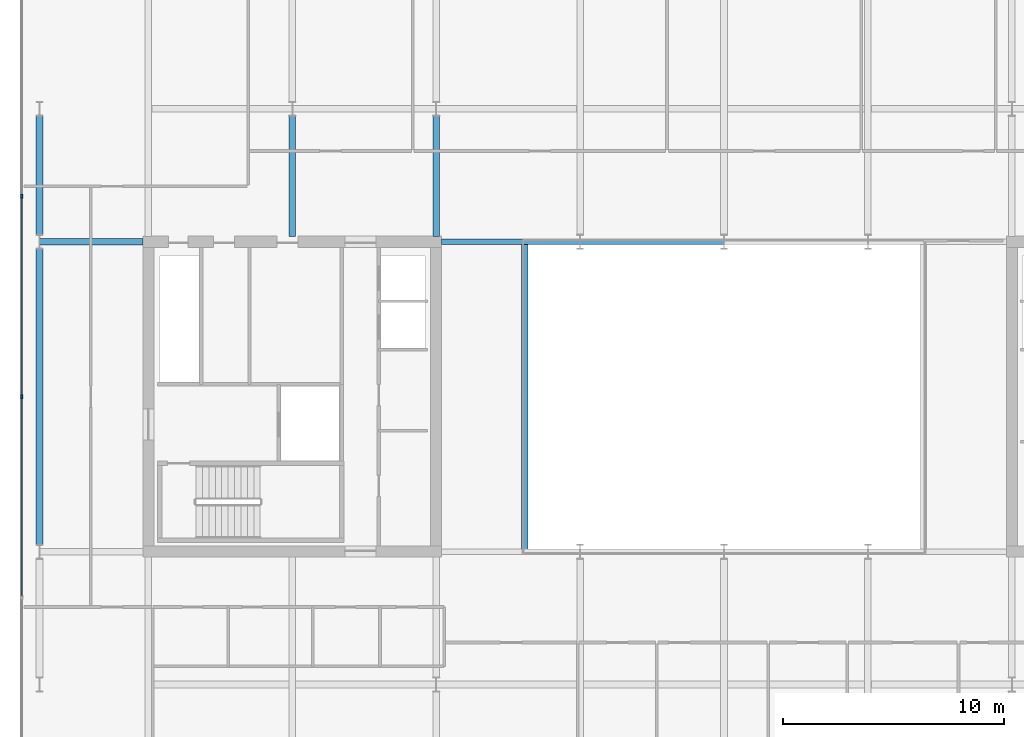
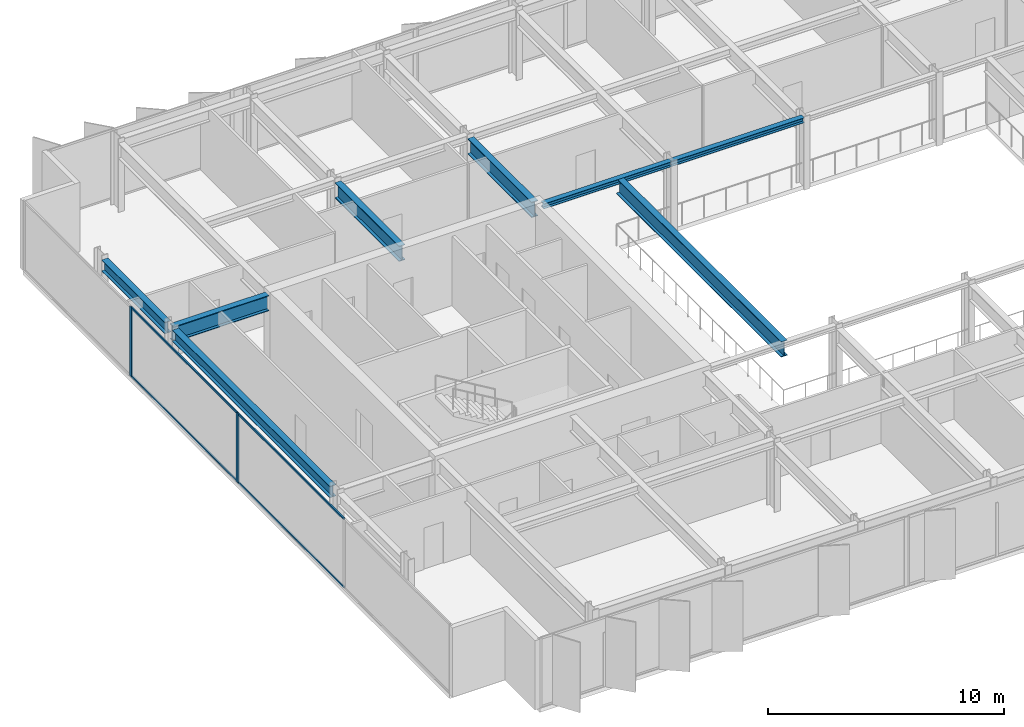
# One storey, part 5 of 19: 8 beams, 6 members, 1 element without a shape of its own.
"""IFC4 building model written with IfcOpenShell, lengths in metres."""

from ifc_helpers import new_model, si_unit, direction, frame, origin, origin_2d, place, context, subcontext, project, spatial, rectangle, i_section, extrude, material, layer, layer_set, material_profile, profile_set, type_object, element, aggregate, save


model = new_model("IFC4")

# Units and contexts
model_context = context("Model", 3, precision=1e-05, world=origin(), true_north=direction((0.0, 1.0)))
body_context = subcontext(model_context, "Body", "Model", "MODEL_VIEW")
ifc_project = project(units=[si_unit("LENGTHUNIT", "METRE"), si_unit("AREAUNIT", "SQUARE_METRE"), si_unit("VOLUMEUNIT", "CUBIC_METRE"), si_unit("PLANEANGLEUNIT", "RADIAN"), si_unit("MASSUNIT", "GRAM", prefix="KILO")], contexts=[model_context])

# Site, building, storey
site_placement = place(None, origin())
site = spatial("IfcSite", under=ifc_project, at=site_placement, CompositionType="ELEMENT")
building_placement = place(site_placement, origin())
building = spatial("IfcBuilding", under=site, at=building_placement, Name="Putna Gate Headquarters", CompositionType="ELEMENT")
storey_placement = place(building_placement, frame((0.0, 0.0, 267.0)))
storey = spatial("IfcBuildingStorey", under=building, at=storey_placement, Name="L67", CompositionType="ELEMENT", Elevation=267.0)

# Beams
ifc_material_1 = material(Name="Steel S355J2", Category="steel")
ifc_material_profile_1 = material_profile(ifc_material_1, i_section(OverallWidth=0.260009765625, OverallDepth=0.260009765625, WebThickness=0.010009765625, FlangeThickness=0.017578125, at=origin_2d()), Name="Steel S355J2")
ifc_profile_set_1 = profile_set([ifc_material_profile_1], Name="Steel S355J2")
beam_type_1 = type_object("IfcBeamType", Name="BM-ATRIUM-HEB260", PredefinedType="BEAM", material=ifc_profile_set_1)
beam_1_placement = place(storey_placement, frame((26.235107421875, 33.0, 3.4580078125), z_axis=(1.0, 0.0, 0.0), x_axis=(0.0, 1.0, 0.0)))
element("IfcBeam", 1, at=beam_1_placement, inside=storey, type_object=beam_type_1, Name="L67 Atrium Edge Beam AN1", PredefinedType="BEAM", context=body_context, shape_type="SweptSolid", body=[
    extrude(i_section(OverallWidth=0.260009765625, OverallDepth=0.260009765625, WebThickness=0.010009765625, FlangeThickness=0.017578125, at=origin_2d()), origin(), (0.0, 0.0, 1.0), 6.2587890625),
])
beam_2_placement = place(storey_placement, frame((32.506103515625, 33.0, 3.4580078125), z_axis=(1.0, 0.0, 0.0), x_axis=(0.0, 1.0, 0.0)))
element("IfcBeam", 2, at=beam_2_placement, inside=storey, type_object=beam_type_1, Name="L67 Atrium Edge Beam AN2", PredefinedType="BEAM", context=body_context, shape_type="SweptSolid", body=[
    extrude(i_section(OverallWidth=0.260009765625, OverallDepth=0.260009765625, WebThickness=0.010009765625, FlangeThickness=0.017578125, at=origin_2d()), origin(), (0.0, 0.0, 1.0), 6.48779296875),
])
ifc_material_profile_2 = material_profile(ifc_material_1, i_section(OverallWidth=0.300048828125, OverallDepth=0.800048828125, WebThickness=0.017578125, FlangeThickness=0.032958984375, at=origin_2d()), Name="Steel S355J2")
ifc_profile_set_2 = profile_set([ifc_material_profile_2], Name="Steel S355J2")
beam_type_2 = type_object("IfcBeamType", Name="BM-GIRD-P-HEB800", PredefinedType="USERDEFINED", material=ifc_profile_set_2)
beam_3_placement = place(storey_placement, frame((8.0859375, 33.0, 3.18798828125), z_axis=(1.0, 0.0, 0.0), x_axis=(0.0, 1.0, 0.0)))
element("IfcBeam", 3, at=beam_3_placement, inside=storey, type_object=beam_type_2, Name="L67 West Wing Girder Y33", ObjectType="GIRDER", PredefinedType="USERDEFINED", context=body_context, shape_type="SweptSolid", body=[
    extrude(i_section(OverallWidth=0.300048828125, OverallDepth=0.800048828125, WebThickness=0.017578125, FlangeThickness=0.032958984375, at=origin_2d()), origin(), (0.0, 0.0, 1.0), 4.678955078125),
])
for number, where, z_axis, x_axis, name in (
    (4, (19.5, 33.235107421875, 3.18798828125), (0.0, 1.0, 0.0), (-1.0, 0.0, 0.0), "L67 North Primary Girder X19-1"),
    (5, (26.0, 33.235107421875, 3.18798828125), (0.0, 1.0, 0.0), (-1.0, 0.0, 0.0), "L67 North Primary Girder X26-1"),
):
    element("IfcBeam", number, at=place(storey_placement, frame(where, z_axis=z_axis, x_axis=x_axis)), inside=storey, type_object=beam_type_2, Name=name, ObjectType="GIRDER", PredefinedType="USERDEFINED", context=body_context, shape_type="SweptSolid", body=[
        extrude(i_section(OverallWidth=0.300048828125, OverallDepth=0.800048828125, WebThickness=0.017578125, FlangeThickness=0.032958984375, at=origin_2d()), origin(), (0.0, 0.0, 1.0), 5.44287109375),
    ])
beam_4_placement = place(storey_placement, frame((30.0, 19.010009765625, 3.18798828125), z_axis=(0.0, 1.0, 0.0), x_axis=(-1.0, 0.0, 0.0)))
element("IfcBeam", 6, at=beam_4_placement, inside=storey, type_object=beam_type_2, Name="L67 Atrium Trim Girder AW", ObjectType="GIRDER", PredefinedType="USERDEFINED", context=body_context, shape_type="SweptSolid", body=[
    extrude(i_section(OverallWidth=0.300048828125, OverallDepth=0.800048828125, WebThickness=0.017578125, FlangeThickness=0.032958984375, at=origin_2d()), origin(), (0.0, 0.0, 1.0), 13.97998046875),
])
ifc_material_profile_3 = material_profile(ifc_material_1, i_section(OverallWidth=0.300048828125, OverallDepth=0.590087890625, WebThickness=0.012939453125, FlangeThickness=0.02490234375, at=origin_2d()), Name="Steel S355J2")
ifc_profile_set_3 = profile_set([ifc_material_profile_3], Name="Steel S355J2")
beam_type_3 = type_object("IfcBeamType", Name="BM-SPAN-Z4-HEA600", PredefinedType="SPANDREL", material=ifc_profile_set_3)
beam_5_placement = place(storey_placement, frame((8.080078125, 19.322021484375, 3.29296875), z_axis=(0.0, 1.0, 0.0), x_axis=(-1.0, 0.0, 0.0)))
element("IfcBeam", 7, at=beam_5_placement, inside=storey, type_object=beam_type_3, Name="L67 W End Spandrel 2", PredefinedType="SPANDREL", context=body_context, shape_type="SweptSolid", body=[
    extrude(i_section(OverallWidth=0.300048828125, OverallDepth=0.590087890625, WebThickness=0.012939453125, FlangeThickness=0.02490234375, at=origin_2d()), origin(), (0.0, 0.0, 1.0), 13.35595703125),
])
beam_6_placement = place(storey_placement, frame((8.080078125, 33.322021484375, 3.29296875), z_axis=(0.0, 1.0, 0.0), x_axis=(-1.0, 0.0, 0.0)))
element("IfcBeam", 8, at=beam_6_placement, inside=storey, type_object=beam_type_3, Name="L67 W End Spandrel 3", PredefinedType="SPANDREL", context=body_context, shape_type="SweptSolid", body=[
    extrude(i_section(OverallWidth=0.300048828125, OverallDepth=0.590087890625, WebThickness=0.012939453125, FlangeThickness=0.02490234375, at=origin_2d()), origin(), (0.0, 0.0, 1.0), 5.35595703125),
])

# Curtain wall, members
ifc_material_2 = material(Name="Anodised bronze aluminium curtain wall", Category="aluminium")
ifc_layer = layer(ifc_material_2, 0.179931640625)
ifc_layer_set = layer_set([ifc_layer], Name="Anodised bronze aluminium curtain wall")
curtain_wall_type = type_object("IfcCurtainWallType", Name="CW-SYS-Z5", PredefinedType="USERDEFINED", material=ifc_layer_set)
curtain_wall_placement = place(storey_placement, origin())
curtain_wall = element("IfcCurtainWall", 9, at=curtain_wall_placement, inside=storey, type_object=curtain_wall_type, Name="L67 West Curtain Wall", ObjectType="STICK CURTAIN WALL", PredefinedType="USERDEFINED")
ifc_material_3 = material(Name="Anodised bronze aluminium EN AW-6060", Category="aluminium")
ifc_material_profile_4 = material_profile(ifc_material_3, rectangle(XDim=0.070068359375, YDim=0.179931640625, at=origin_2d()), Name="Anodised bronze aluminium EN AW-6060")
ifc_profile_set_4 = profile_set([ifc_material_profile_4], Name="Anodised bronze aluminium EN AW-6060")
member_type_1 = type_object("IfcMemberType", Name="MULL-CWM-5", PredefinedType="MULLION", material=ifc_profile_set_4)
member_1_placement = place(storey_placement, frame((7.280029296875, 26.0, 0.0), z_axis=(0.0, 0.0, 1.0), x_axis=(-1.0, 0.0, 0.0)))
member_1 = element("IfcMember", 10, at=member_1_placement, type_object=member_type_1, Name="CWS-5 mullion 3", PredefinedType="MULLION", context=body_context, shape_type="SweptSolid", body=[
    extrude(rectangle(XDim=0.070068359375, YDim=0.179931640625, at=origin_2d()), origin(), (0.0, 0.0, 1.0), 3.587890625),
])
member_2_placement = place(storey_placement, frame((7.280029296875, 35.050048828125, 0.0), z_axis=(0.0, 0.0, 1.0), x_axis=(-1.0, 0.0, 0.0)))
member_2 = element("IfcMember", 11, at=member_2_placement, type_object=member_type_1, Name="CWS-5 mullion 4", PredefinedType="MULLION", context=body_context, shape_type="SweptSolid", body=[
    extrude(rectangle(XDim=0.070068359375, YDim=0.179931640625, at=origin_2d()), origin(), (0.0, 0.0, 1.0), 3.587890625),
])
ifc_material_profile_5 = material_profile(ifc_material_3, rectangle(XDim=0.06005859375, YDim=0.10009765625, at=origin_2d()), Name="Anodised bronze aluminium EN AW-6060")
ifc_profile_set_5 = profile_set([ifc_material_profile_5], Name="Anodised bronze aluminium EN AW-6060")
member_type_2 = type_object("IfcMemberType", Name="TRAN-CWT-5", PredefinedType="USERDEFINED", material=ifc_profile_set_5)
member_3_placement = place(storey_placement, frame((7.280029296875, 16.985107421875, 0.030029296875), z_axis=(0.0, 1.0, 0.0), x_axis=(-1.0, 0.0, 0.0)))
member_3 = element("IfcMember", 12, at=member_3_placement, type_object=member_type_2, Name="CWS-5 transom 2.1", ObjectType="TRANSOM", PredefinedType="USERDEFINED", context=body_context, shape_type="SweptSolid", body=[
    extrude(rectangle(XDim=0.06005859375, YDim=0.10009765625, at=origin_2d()), origin(), (0.0, 0.0, 1.0), 8.97998046875),
])
member_4_placement = place(storey_placement, frame((7.280029296875, 16.985107421875, 3.55810546875), z_axis=(0.0, 1.0, 0.0), x_axis=(-1.0, 0.0, 0.0)))
member_4 = element("IfcMember", 13, at=member_4_placement, type_object=member_type_2, Name="CWS-5 transom 2.2", ObjectType="TRANSOM", PredefinedType="USERDEFINED", context=body_context, shape_type="SweptSolid", body=[
    extrude(rectangle(XDim=0.06005859375, YDim=0.10009765625, at=origin_2d()), origin(), (0.0, 0.0, 1.0), 8.97998046875),
])
member_5_placement = place(storey_placement, frame((7.280029296875, 26.034912109375, 0.030029296875), z_axis=(0.0, 1.0, 0.0), x_axis=(-1.0, 0.0, 0.0)))
member_5 = element("IfcMember", 14, at=member_5_placement, type_object=member_type_2, Name="CWS-5 transom 3.1", ObjectType="TRANSOM", PredefinedType="USERDEFINED", context=body_context, shape_type="SweptSolid", body=[
    extrude(rectangle(XDim=0.06005859375, YDim=0.10009765625, at=origin_2d()), origin(), (0.0, 0.0, 1.0), 8.97998046875),
])
member_6_placement = place(storey_placement, frame((7.280029296875, 26.034912109375, 3.55810546875), z_axis=(0.0, 1.0, 0.0), x_axis=(-1.0, 0.0, 0.0)))
member_6 = element("IfcMember", 15, at=member_6_placement, type_object=member_type_2, Name="CWS-5 transom 3.2", ObjectType="TRANSOM", PredefinedType="USERDEFINED", context=body_context, shape_type="SweptSolid", body=[
    extrude(rectangle(XDim=0.06005859375, YDim=0.10009765625, at=origin_2d()), origin(), (0.0, 0.0, 1.0), 8.97998046875),
])
aggregate(curtain_wall, [member_1, member_2, member_3, member_4, member_5, member_6])

save(model, "model.ifc")
